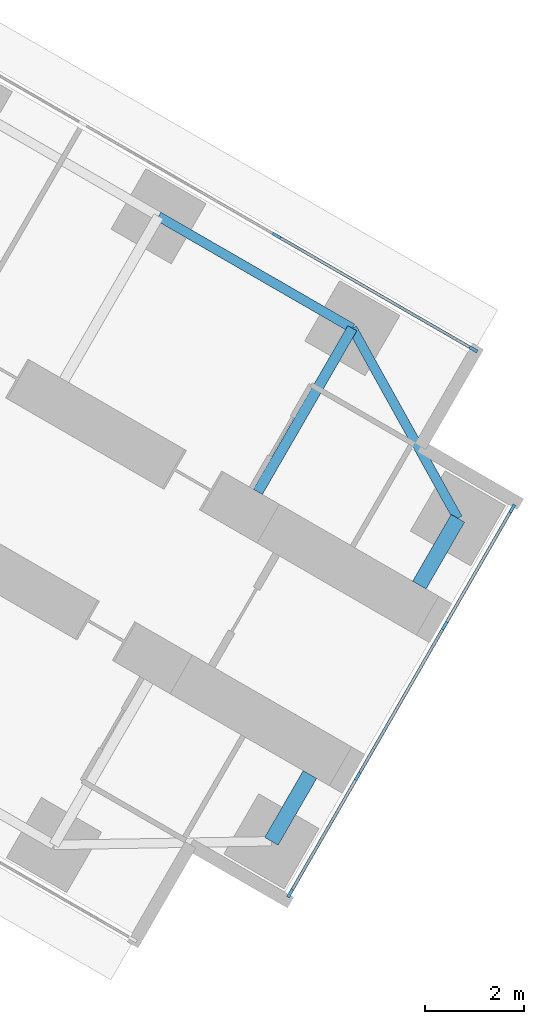
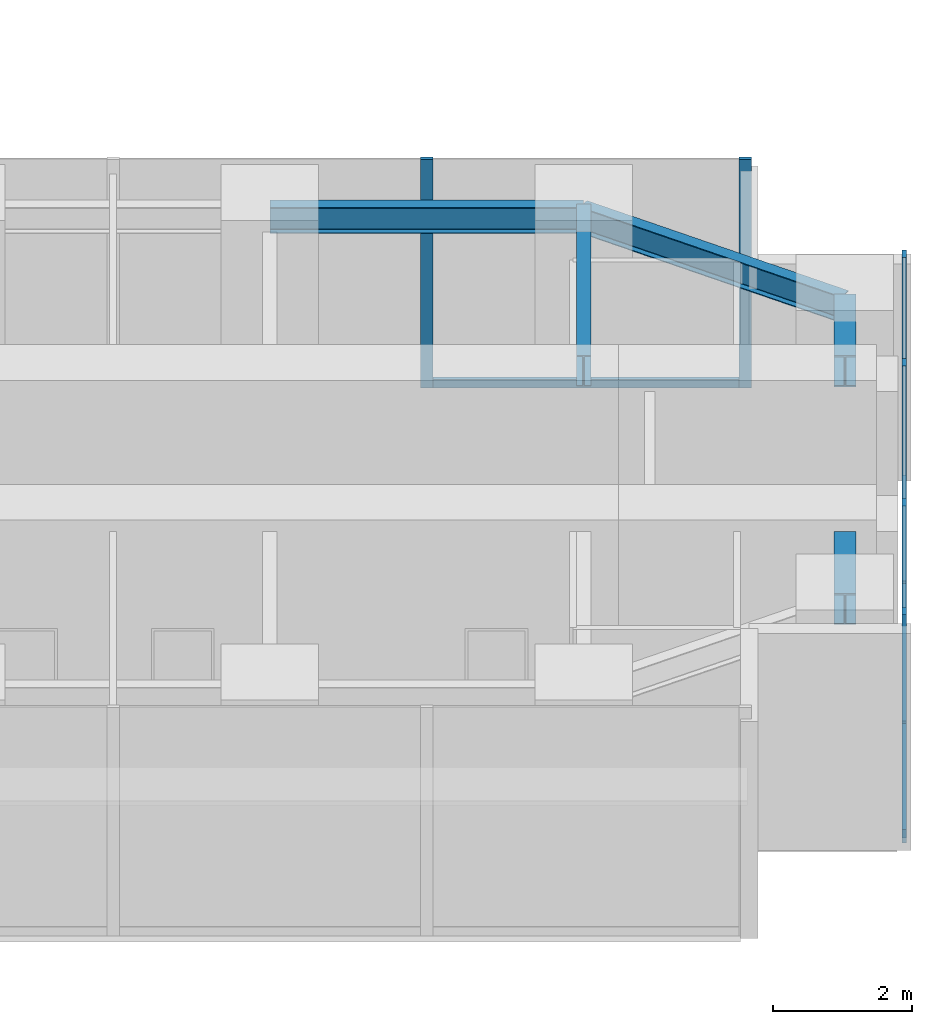
# One storey, part 12 of 25: 10 members, 5 beams, 2 elements without a shape of their own.
"""IFC4 building model written with IfcOpenShell, lengths in metres."""

import ifcopenshell
import ifcopenshell.guid

model = None  # the IFC model being written
_history = None  # IfcOwnerHistory: only IFC2X3 demands one
_inside = {}  # id of a spatial element -> (the spatial element, [elements in it])
_under = {}  # id of a project, library or spatial element -> (it, [spatial elements below it])
_declared = {}  # id of a project -> (the project, [libraries it declares])
_typed = {}  # id of a type object -> (the type object, [elements of that type])
_made_of = {}  # id of a material, layer set ... -> (it, [elements and type objects made of it])


def new_model(schema):
    """Start an empty IFC model of exactly this schema.

    Asked for "IFC4X3", IfcOpenShell would pick the latest addendum, in which some entities
    have other attributes; the version numbers below select the first issue.
    IFC2X3 requires an IfcOwnerHistory on every rooted entity: one is made here for all.
    """
    global model, _history
    if schema == "IFC4X3":
        model = ifcopenshell.file(schema_version=(4, 3, 0, 0))
    else:
        model = ifcopenshell.file(schema=schema)
    _inside.clear()
    _under.clear()
    _declared.clear()
    _typed.clear()
    _made_of.clear()
    _history = None
    if model.schema == "IFC2X3":
        org = make("IfcOrganization", Name="unknown")
        user = make(
            "IfcPersonAndOrganization",
            ThePerson=make("IfcPerson", FamilyName="unknown"),
            TheOrganization=org,
        )
        app = make(
            "IfcApplication",
            ApplicationDeveloper=org,
            Version="unknown",
            ApplicationFullName="unknown",
            ApplicationIdentifier="unknown",
        )
        _history = make(
            "IfcOwnerHistory",
            OwningUser=user,
            OwningApplication=app,
            ChangeAction="ADDED",
            CreationDate=0,
        )
    return model


def make(cls, **values):
    """One entity of the class cls with the attributes given. An attribute that is None is left unset."""
    return model.create_entity(
        cls, **{name: value for name, value in values.items() if value is not None}
    )


def rooted(cls, **values):
    """An entity with a GlobalId (a new one), such as an element, a storey or a relation."""
    return make(cls, GlobalId=ifcopenshell.guid.new(), OwnerHistory=_history, **values)


def si_unit(unit_type, name, prefix=None):
    """IfcSIUnit, for example si_unit("LENGTHUNIT", "METRE", prefix="MILLI")."""
    return make("IfcSIUnit", UnitType=unit_type, Prefix=prefix, Name=name)


def assignment(units):
    """IfcUnitAssignment: the units of a project."""
    return None if units is None else make("IfcUnitAssignment", Units=units)


def point(xyz):
    """IfcCartesianPoint."""
    return None if xyz is None else make("IfcCartesianPoint", Coordinates=xyz)


def direction(xyz):
    """IfcDirection."""
    return None if xyz is None else make("IfcDirection", DirectionRatios=xyz)


def frame(location, z_axis=None, x_axis=None):
    """IfcAxis2Placement3D, a coordinate frame: its origin and axes. An axis left out is left unset."""
    return make(
        "IfcAxis2Placement3D",
        Location=point(location),
        Axis=direction(z_axis),
        RefDirection=direction(x_axis),
    )


def frame_2d(location, x_axis=None):
    """IfcAxis2Placement2D, a coordinate frame in the plane: its origin and x axis."""
    return make(
        "IfcAxis2Placement2D", Location=point(location), RefDirection=direction(x_axis)
    )


def origin():
    """The frame at (0, 0, 0) with its axes left unset."""
    return frame((0.0, 0.0, 0.0))


def origin_2d():
    """The frame at (0, 0) in the plane with its x axis left unset."""
    return frame_2d((0.0, 0.0))


def place(relative_to, where):
    """IfcLocalPlacement: puts the frame where relative to a parent placement (None: the world)."""
    return make(
        "IfcLocalPlacement", PlacementRelTo=relative_to, RelativePlacement=where
    )


def context(
    kind, dimensions, precision=None, world=None, true_north=None, identifier=None
):
    """IfcGeometricRepresentationContext, for example the 3D "Model" context."""
    return make(
        "IfcGeometricRepresentationContext",
        ContextIdentifier=identifier,
        ContextType=kind,
        CoordinateSpaceDimension=dimensions,
        Precision=precision,
        WorldCoordinateSystem=world,
        TrueNorth=true_north,
    )


def subcontext(parent, identifier, kind, view, scale=None):
    """IfcGeometricRepresentationSubContext, for example "Body" below "Model"."""
    return make(
        "IfcGeometricRepresentationSubContext",
        ContextIdentifier=identifier,
        ContextType=kind,
        ParentContext=parent,
        TargetScale=scale,
        TargetView=view,
    )


def project(units=None, contexts=None):
    """IfcProject with its units and contexts."""
    return rooted(
        "IfcProject",
        Name="project",
        RepresentationContexts=contexts,
        UnitsInContext=assignment(units),
    )


def spatial(cls, under=None, at=None, **own):
    """A site, building, storey or space (cls), placed at a placement, below another one or the project."""
    s = rooted(cls, ObjectPlacement=at, **own)
    if under is not None:
        _under.setdefault(under.id(), (under, []))[1].append(s)
    return s


def profile(cls, at=None, kind="AREA", **sizes):
    """A parametric profile (cls). Its sizes go by their IFC names, for example OverallWidth=200.0."""
    return make(cls, ProfileType=kind, Position=at, **sizes)


def rectangle(**sizes):
    """IfcRectangleProfileDef."""
    return profile("IfcRectangleProfileDef", **sizes)


def i_section(**sizes):
    """IfcIShapeProfileDef."""
    return profile("IfcIShapeProfileDef", **sizes)


def extrude(swept, where, along, depth):
    """IfcExtrudedAreaSolid: the profile swept, set in the frame where, extruded along a direction by depth."""
    return make(
        "IfcExtrudedAreaSolid",
        SweptArea=swept,
        Position=where,
        ExtrudedDirection=direction(along),
        Depth=depth,
    )


def shape(context_of_items, identifier, shape_type, items):
    """IfcShapeRepresentation: the items that make up one representation, for example the "Body"."""
    return make(
        "IfcShapeRepresentation",
        ContextOfItems=context_of_items,
        RepresentationIdentifier=identifier,
        RepresentationType=shape_type,
        Items=items,
    )


def material(Name=None, Category=None):
    """IfcMaterial."""
    return make("IfcMaterial", Name=Name, Category=Category)


def material_profile(
    of_material, cross_section, Name=None, Category=None, Priority=None
):
    """IfcMaterialProfile: a cross section and its material."""
    return make(
        "IfcMaterialProfile",
        Name=Name,
        Material=of_material,
        Profile=cross_section,
        Priority=Priority,
        Category=Category,
    )


def profile_set(profiles, Name=None, composite=None):
    """IfcMaterialProfileSet."""
    return make(
        "IfcMaterialProfileSet",
        Name=Name,
        MaterialProfiles=profiles,
        CompositeProfile=composite,
    )


def made_of(thing, what):
    """Note that an element or type object is made of a material, layer set ...; save() writes the relation."""
    if what is not None:
        _made_of.setdefault(what.id(), (what, []))[1].append(thing)
    return thing


def type_object(cls, material=None, **own):
    """A type object (cls), such as IfcWallType, which elements share."""
    return made_of(rooted(cls, **own), material)


def element(
    cls,
    number,
    at=None,
    inside=None,
    cuts=None,
    type_object=None,
    material=None,
    context=None,
    identifier="Body",
    shape_type=None,
    held_by="IfcProductDefinitionShape",
    body=None,
    shapes=None,
    **own,
):
    """One element of the class cls, such as IfcWall. Its Tag is "e" and its number.

    at: its placement. inside: the storey or other place that contains it. cuts: it is an
    opening in that element (IfcRelVoidsElement). A single representation is given by context,
    identifier, shape_type and body (its items); several are given by shapes. held_by: the class
    of the entity that holds the representations. save() writes the other relations.
    """
    e = rooted(cls, Tag="e%d" % number, ObjectPlacement=at, **own)
    if body is not None:
        shapes = [shape(context, identifier, shape_type, body)]
    if shapes is not None:
        e.Representation = make(held_by, Representations=shapes)
    if inside is not None:
        _inside.setdefault(inside.id(), (inside, []))[1].append(e)
    if cuts is not None:
        rooted(
            "IfcRelVoidsElement", RelatingBuildingElement=cuts, RelatedOpeningElement=e
        )
    if type_object is not None:
        _typed.setdefault(type_object.id(), (type_object, []))[1].append(e)
    return made_of(e, material)


def aggregate(whole, parts):
    """IfcRelAggregates: a whole, such as a stair, and the parts it consists of."""
    return rooted("IfcRelAggregates", RelatingObject=whole, RelatedObjects=parts)


def save(model, path):
    """Write the relations noted so far, then the file.

    IfcRelAggregates (storeys below a building ...), IfcRelContainedInSpatialStructure (elements
    in a storey), IfcRelDefinesByType, IfcRelAssociatesMaterial and IfcRelDeclares: one each for
    every whole, place, type object, material and project.
    """
    for whole, parts in _under.values():
        aggregate(whole, parts)
    for where, things in _inside.values():
        rooted(
            "IfcRelContainedInSpatialStructure",
            RelatedElements=things,
            RelatingStructure=where,
        )
    for kind, things in _typed.values():
        rooted("IfcRelDefinesByType", RelatedObjects=things, RelatingType=kind)
    for what, things in _made_of.values():
        rooted("IfcRelAssociatesMaterial", RelatedObjects=things, RelatingMaterial=what)
    for by, libraries in _declared.values():
        rooted("IfcRelDeclares", RelatingContext=by, RelatedDefinitions=libraries)
    model.write(path)


model = new_model("IFC4")

# Units and contexts
model_context = context("Model", 3, precision=1e-05, world=origin(), true_north=direction((0.0, 1.0)))
body_context = subcontext(model_context, "Body", "Model", "MODEL_VIEW")
ifc_project = project(units=[si_unit("LENGTHUNIT", "METRE"), si_unit("AREAUNIT", "SQUARE_METRE"), si_unit("VOLUMEUNIT", "CUBIC_METRE"), si_unit("PLANEANGLEUNIT", "RADIAN"), si_unit("MASSUNIT", "GRAM", prefix="KILO")], contexts=[model_context])

# Site, building, storey
site_placement = place(None, origin())
site = spatial("IfcSite", under=ifc_project, at=site_placement, CompositionType="ELEMENT")
building_placement = place(site_placement, origin())
building = spatial("IfcBuilding", under=site, at=building_placement, Name="Upepo Twin Towers", CompositionType="ELEMENT")
storey_placement = place(building_placement, frame((0.0, 0.0, 80.5)))
storey = spatial("IfcBuildingStorey", under=building, at=storey_placement, Name="L19", CompositionType="ELEMENT", Elevation=80.5)

# Beams
ifc_material_1 = material(Name="Steel S355", Category="steel")
ifc_material_profile_1 = material_profile(ifc_material_1, i_section(OverallWidth=0.1904296875, OverallDepth=0.45703125, WebThickness=0.009033203125, FlangeThickness=0.014404296875, FilletRadius=0.01025390625, at=origin_2d()), Name="UB 457x191x74")
ifc_profile_set_1 = profile_set([ifc_material_profile_1], Name="Steel S355")
beam_type_1 = type_object("IfcBeamType", Name="Beam UB 457x191x74", PredefinedType="BEAM", material=ifc_profile_set_1)
beam_1_placement = place(storey_placement, frame((77.08837890625, -21.803955078125, 3.571533203125), z_axis=(0.866031096941, -0.499990139034, 0.0), x_axis=(0.499990139034, 0.866031096941, 0.0)))
element("IfcBeam", 1, at=beam_1_placement, inside=storey, type_object=beam_type_1, Name="T2 edge beam CL 18.0-22.5", PredefinedType="BEAM", context=body_context, shape_type="SweptSolid", body=[
    extrude(i_section(OverallWidth=0.1904296875, OverallDepth=0.45703125, WebThickness=0.009033203125, FlangeThickness=0.014404296875, FilletRadius=0.01025390625, at=origin_2d()), origin(), (0.0, 0.0, 1.0), 4.5),
])
beam_2_placement = place(storey_placement, frame((80.985595703125, -24.053955078125, 3.571533203125), z_axis=(0.485363242752, -0.874312600038, 0.0), x_axis=(0.874312600038, 0.485363242752, 0.0)))
element("IfcBeam", 2, at=beam_2_placement, inside=storey, type_object=beam_type_1, Name="T2 nose edge beam CL", PredefinedType="BEAM", context=body_context, shape_type="SweptSolid", body=[
    extrude(i_section(OverallWidth=0.1904296875, OverallDepth=0.45703125, WebThickness=0.009033203125, FlangeThickness=0.014404296875, FilletRadius=0.01025390625, at=origin_2d()), origin(), (0.0, 0.0, 1.0), 4.373046875),
])
ifc_material_2 = material(Name="Steel S355", Category="steel")
ifc_material_profile_2 = material_profile(ifc_material_2, i_section(OverallWidth=0.209228515625, OverallDepth=0.533203125, WebThickness=0.010009765625, FlangeThickness=0.015625, FilletRadius=0.0126953125, at=origin_2d()), Name="UB 533x210x92")
ifc_profile_set_2 = profile_set([ifc_material_profile_2], Name="Steel S355")
beam_type_2 = type_object("IfcBeamType", Name="Beam UB 533x210x92", PredefinedType="BEAM", material=ifc_profile_set_2)
beam_3_placement = place(storey_placement, frame((80.985595703125, -24.053955078125, 3.533447265625), z_axis=(-0.499994975061, -0.866028304915, 0.0), x_axis=(0.866028304915, -0.499994975061, 0.0)))
element("IfcBeam", 3, at=beam_3_placement, inside=storey, type_object=beam_type_2, Name="T2 girder CL at 22.5", PredefinedType="BEAM", context=body_context, shape_type="SweptSolid", body=[
    extrude(i_section(OverallWidth=0.209228515625, OverallDepth=0.533203125, WebThickness=0.010009765625, FlangeThickness=0.015625, FilletRadius=0.0126953125, at=origin_2d()), origin(), (0.0, 0.0, 1.0), 3.7998046875),
])
ifc_material_3 = material(Name="Steel S355", Category="steel")
ifc_material_profile_3 = material_profile(ifc_material_3, i_section(OverallWidth=0.31201171875, OverallDepth=0.54345703125, WebThickness=0.0126953125, FlangeThickness=0.020263671875, FilletRadius=0.0126953125, at=origin_2d()), Name="UB 533x312x150")
ifc_profile_set_3 = profile_set([ifc_material_profile_3], Name="Steel S355")
beam_type_3 = type_object("IfcBeamType", Name="Beam UB 533x312x150", PredefinedType="BEAM", material=ifc_profile_set_3)
for number, where, z_axis, x_axis, name in (
    (4, (83.108154296875, -27.87744140625, 3.5283203125), (-0.499967891604, -0.866043940782, 0.0), (0.866043940782, -0.499967891604, 0.0), "T2 nose beam CL"),
    (5, (79.358154296875, -34.37255859375, 3.5283203125), (0.499967891604, 0.866043940782, 0.0), (-0.866043940782, 0.499967891604, 0.0), "T2 nose beam CR"),
):
    element("IfcBeam", number, at=place(storey_placement, frame(where, z_axis=z_axis, x_axis=x_axis)), inside=storey, type_object=beam_type_3, Name=name, PredefinedType="BEAM", context=body_context, shape_type="SweptSolid", body=[
        extrude(i_section(OverallWidth=0.31201171875, OverallDepth=0.54345703125, WebThickness=0.0126953125, FlangeThickness=0.020263671875, FilletRadius=0.0126953125, at=origin_2d()), origin(), (0.0, 0.0, 1.0), 1.5498046875),
    ])

# Curtain wall, members
ifc_material_4 = material(Name="Aluminium and fritted glass", Category="aluminium")
curtain_wall_type = type_object("IfcCurtainWallType", Name="Tower curtain wall TW1, fritted glass", PredefinedType="NOTDEFINED", material=ifc_material_4)
curtain_wall_1_placement = place(storey_placement, origin())
curtain_wall_1 = element("IfcCurtainWall", 6, at=curtain_wall_1_placement, inside=storey, type_object=curtain_wall_type, Name="T2 L19 wing C flank L curtain wall", PredefinedType="NOTDEFINED")
ifc_material_5 = material(Name="Aluminium mullion", Category="aluminium")
ifc_material_profile_4 = material_profile(ifc_material_5, rectangle(XDim=0.06494140625, YDim=0.179931640625, at=origin_2d()), Name="MULLION 65x180")
ifc_profile_set_4 = profile_set([ifc_material_profile_4], Name="Aluminium mullion")
member_type_1 = type_object("IfcMemberType", Name="Mullion 65x180 TW1", PredefinedType="MULLION", material=ifc_profile_set_4)
member_1_placement = place(storey_placement, frame((79.4619140625, -22.192626953125, 0.0), z_axis=(0.0, 0.0, 1.0), x_axis=(0.500000024426, 0.866025389682, 0.0)))
member_1 = element("IfcMember", 7, at=member_1_placement, type_object=member_type_1, Name="T2 L19 wing C flank L curtain wall mullion 3", PredefinedType="MULLION", context=body_context, shape_type="SweptSolid", body=[
    extrude(rectangle(XDim=0.06494140625, YDim=0.179931640625, at=origin_2d()), origin(), (0.0, 0.0, 1.0), 4.0),
])
member_2_placement = place(storey_placement, frame((83.41748046875, -24.4765625, 0.0), z_axis=(0.0, 0.0, 1.0), x_axis=(0.500000024426, 0.866025389682, 0.0)))
member_2 = element("IfcMember", 8, at=member_2_placement, type_object=member_type_1, Name="T2 L19 wing C flank L curtain wall mullion 4", PredefinedType="MULLION", context=body_context, shape_type="SweptSolid", body=[
    extrude(rectangle(XDim=0.06494140625, YDim=0.179931640625, at=origin_2d()), origin(), (0.0, 0.0, 1.0), 4.0),
])

curtain_wall_2_placement = place(storey_placement, origin())
curtain_wall_2 = element("IfcCurtainWall", 9, at=curtain_wall_2_placement, inside=storey, type_object=curtain_wall_type, Name="T2 L19 wing C nose curtain wall", PredefinedType="NOTDEFINED")
member_3_placement = place(storey_placement, frame((79.735595703125, -35.4189453125, 0.0), z_axis=(0.0, 0.0, 1.0), x_axis=(-0.866025386174, 0.500000030502, 0.0)))
member_3 = element("IfcMember", 10, at=member_3_placement, type_object=member_type_1, Name="T2 L19 wing C nose curtain wall mullion 1", PredefinedType="MULLION", context=body_context, shape_type="SweptSolid", body=[
    extrude(rectangle(XDim=0.06494140625, YDim=0.179931640625, at=origin_2d()), origin(), (0.0, 0.0, 1.0), 4.0),
])
member_4_placement = place(storey_placement, frame((81.09423828125, -33.0654296875, 0.0), z_axis=(0.0, 0.0, 1.0), x_axis=(-0.866025386174, 0.500000030502, 0.0)))
member_4 = element("IfcMember", 11, at=member_4_placement, type_object=member_type_1, Name="T2 L19 wing C nose curtain wall mullion 2", PredefinedType="MULLION", context=body_context, shape_type="SweptSolid", body=[
    extrude(rectangle(XDim=0.06494140625, YDim=0.179931640625, at=origin_2d()), origin(), (0.0, 0.0, 1.0), 4.0),
])
member_5_placement = place(storey_placement, frame((82.84423828125, -30.034423828125, 0.0), z_axis=(0.0, 0.0, 1.0), x_axis=(-0.866025386174, 0.500000030502, 0.0)))
member_5 = element("IfcMember", 12, at=member_5_placement, type_object=member_type_1, Name="T2 L19 wing C nose curtain wall mullion 3", PredefinedType="MULLION", context=body_context, shape_type="SweptSolid", body=[
    extrude(rectangle(XDim=0.06494140625, YDim=0.179931640625, at=origin_2d()), origin(), (0.0, 0.0, 1.0), 4.0),
])
member_6_placement = place(storey_placement, frame((84.203125, -27.68115234375, 0.0), z_axis=(0.0, 0.0, 1.0), x_axis=(-0.866025386174, 0.500000030502, 0.0)))
member_6 = element("IfcMember", 13, at=member_6_placement, type_object=member_type_1, Name="T2 L19 wing C nose curtain wall mullion 4", PredefinedType="MULLION", context=body_context, shape_type="SweptSolid", body=[
    extrude(rectangle(XDim=0.06494140625, YDim=0.179931640625, at=origin_2d()), origin(), (0.0, 0.0, 1.0), 4.0),
])

# Member
ifc_material_6 = material(Name="Aluminium transom", Category="aluminium")
ifc_material_profile_5 = material_profile(ifc_material_6, rectangle(XDim=0.06494140625, YDim=0.14990234375, at=origin_2d()), Name="TRANSOM 65x150")
ifc_profile_set_5 = profile_set([ifc_material_profile_5], Name="Aluminium transom")
member_type_2 = type_object("IfcMemberType", Name="Transom 65x150 TW1", PredefinedType="USERDEFINED", material=ifc_profile_set_5)
member_7_placement = place(storey_placement, frame((79.490234375, -22.208984375, 0.074951171875), z_axis=(0.866022143554, -0.500005646842, 0.0), x_axis=(0.500005646842, 0.866022143554, 0.0)))
member_7 = element("IfcMember", 14, at=member_7_placement, type_object=member_type_2, Name="T2 L19 wing C flank L curtain wall transom 3", ObjectType="TRANSOM", PredefinedType="USERDEFINED", context=body_context, shape_type="SweptSolid", body=[
    extrude(rectangle(XDim=0.06494140625, YDim=0.14990234375, at=origin_2d()), origin(), (0.0, 0.0, 1.0), 4.50244140625),
])

aggregate(curtain_wall_1, [member_1, member_2, member_7])

member_8_placement = place(storey_placement, frame((79.751708984375, -35.390869140625, 0.074951171875), z_axis=(0.500049101008, 0.865997053448, 0.0), x_axis=(-0.865997053448, 0.500049101008, 0.0)))
member_8 = element("IfcMember", 15, at=member_8_placement, type_object=member_type_2, Name="T2 L19 wing C nose curtain wall transom 1", ObjectType="TRANSOM", PredefinedType="USERDEFINED", context=body_context, shape_type="SweptSolid", body=[
    extrude(rectangle(XDim=0.06494140625, YDim=0.14990234375, at=origin_2d()), origin(), (0.0, 0.0, 1.0), 2.652587890625),
])

member_9_placement = place(storey_placement, frame((81.110595703125, -33.037353515625, 0.074951171875), z_axis=(0.499999305434, 0.866025804792, 0.0), x_axis=(-0.866025804792, 0.499999305434, 0.0)))
member_9 = element("IfcMember", 16, at=member_9_placement, type_object=member_type_2, Name="T2 L19 wing C nose curtain wall transom 2", ObjectType="TRANSOM", PredefinedType="USERDEFINED", context=body_context, shape_type="SweptSolid", body=[
    extrude(rectangle(XDim=0.06494140625, YDim=0.14990234375, at=origin_2d()), origin(), (0.0, 0.0, 1.0), 3.43505859375),
])

member_10_placement = place(storey_placement, frame((82.860595703125, -30.00634765625, 0.074951171875), z_axis=(0.499980071345, 0.866036909293, 0.0), x_axis=(-0.866036909293, 0.499980071345, 0.0)))
member_10 = element("IfcMember", 17, at=member_10_placement, type_object=member_type_2, Name="T2 L19 wing C nose curtain wall transom 3", ObjectType="TRANSOM", PredefinedType="USERDEFINED", context=body_context, shape_type="SweptSolid", body=[
    extrude(rectangle(XDim=0.06494140625, YDim=0.14990234375, at=origin_2d()), origin(), (0.0, 0.0, 1.0), 2.65234375),
])

aggregate(curtain_wall_2, [member_3, member_4, member_5, member_6, member_8, member_9, member_10])

save(model, "model.ifc")
